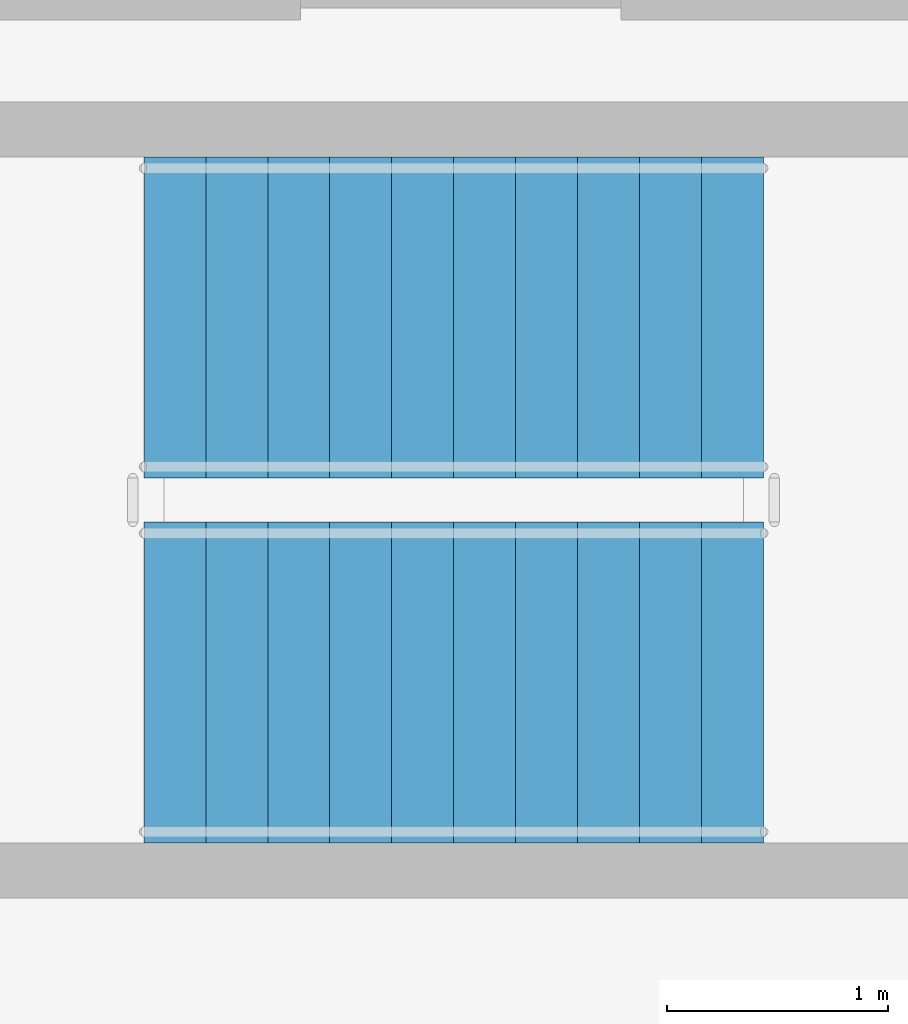
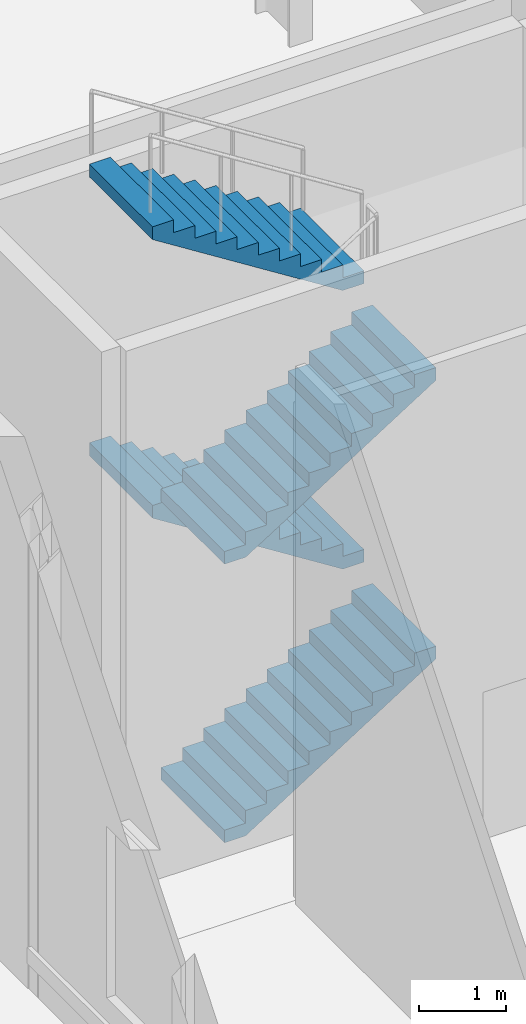
# One storey, part 152 of 176: 4 stair flights, 1 element without a shape of its own.
"""IFC4 building model written with IfcOpenShell, lengths in metres."""

from ifc_helpers import new_model, si_unit, direction, frame, origin, place, context, subcontext, project, spatial, polyline, outline, extrude, material, type_object, element, aggregate, save


model = new_model("IFC4")

# Units and contexts
model_context = context("Model", 3, precision=1e-05, world=origin(), true_north=direction((0.0, 1.0)))
body_context = subcontext(model_context, "Body", "Model", "MODEL_VIEW")
ifc_project = project(units=[si_unit("LENGTHUNIT", "METRE"), si_unit("AREAUNIT", "SQUARE_METRE"), si_unit("VOLUMEUNIT", "CUBIC_METRE"), si_unit("PLANEANGLEUNIT", "RADIAN"), si_unit("MASSUNIT", "GRAM", prefix="KILO")], contexts=[model_context])

# Site, building, storey
site_placement = place(None, origin())
site = spatial("IfcSite", under=ifc_project, at=site_placement, CompositionType="ELEMENT")
building_placement = place(site_placement, origin())
building = spatial("IfcBuilding", under=site, at=building_placement, Name="Vekula Escarpment Museum", CompositionType="ELEMENT")
storey_placement = place(building_placement, origin())
storey = spatial("IfcBuildingStorey", under=building, at=storey_placement, Name="L01", CompositionType="ELEMENT", Elevation=0.0)

# Stair, stair flights
ifc_material_1 = material(Name="Concrete C35/45", Category="concrete")
stair_type = type_object("IfcStairType", Name="STR-TYPE-145", PredefinedType="HALF_TURN_STAIR", material=ifc_material_1)
stair_placement = place(storey_placement, origin())
stair = element("IfcStair", 1, at=stair_placement, inside=storey, type_object=stair_type, Name="L01 Northeast Cumba Exit Stair ST-05", PredefinedType="HALF_TURN_STAIR")
ifc_material_2 = material(Name="Concrete C35/45", Category="concrete")
stair_flight_type = type_object("IfcStairFlightType", Name="FLT-TYPE-145", PredefinedType="STRAIGHT", material=ifc_material_2)
stair_flight_1_placement = place(storey_placement, frame((170.25, 115.324951171875, 0.0), z_axis=(0.0, 0.0, 1.0), x_axis=(1.0, 0.0, 0.0)))
stair_flight_1 = element("IfcStairFlight", 2, at=stair_flight_1_placement, type_object=stair_flight_type, Name="ST-05 flight 1", NumberOfRisers=11, NumberOfTreads=10, PredefinedType="STRAIGHT", RiserHeight=0.177272727, TreadLength=0.28, context=body_context, shape_type="SweptSolid", body=[
    extrude(outline(polyline([(0.0, 0.0), (0.0, 0.17724609375), (0.280029296875, 0.17724609375), (0.280029296875, 0.3544921875), (0.56005859375, 0.3544921875), (0.56005859375, 0.53173828125), (0.840087890625, 0.53173828125), (0.840087890625, 0.708984375), (1.1201171875, 0.708984375), (1.1201171875, 0.886474609375), (1.39990234375, 0.886474609375), (1.39990234375, 1.063720703125), (1.679931640625, 1.063720703125), (1.679931640625, 1.240966796875), (1.9599609375, 1.240966796875), (1.9599609375, 1.418212890625), (2.239990234375, 1.418212890625), (2.239990234375, 1.595458984375), (2.52001953125, 1.595458984375), (2.52001953125, 1.772705078125), (2.800048828125, 1.772705078125), (2.800048828125, 1.949951171875), (2.800048828125, 1.59521484375), (0.2802734375, 0.0), (0.0, 0.0)])), frame((0.0, 0.72509765625, 0.0), z_axis=(0.0, -1.0, 0.0), x_axis=(1.0, 0.0, 0.0)), (0.0, 0.0, 1.0), 1.449951171875),
])
stair_flight_2_placement = place(storey_placement, frame((173.050048828125, 116.97509765625, 1.949951171875), z_axis=(0.0, 0.0, 1.0), x_axis=(-1.0, 0.0, 0.0)))
stair_flight_2 = element("IfcStairFlight", 3, at=stair_flight_2_placement, type_object=stair_flight_type, Name="ST-05 flight 2", NumberOfRisers=11, NumberOfTreads=10, PredefinedType="STRAIGHT", RiserHeight=0.177272727, TreadLength=0.28, context=body_context, shape_type="SweptSolid", body=[
    extrude(outline(polyline([(0.0, 0.0), (0.0, 0.17724609375), (0.280029296875, 0.17724609375), (0.280029296875, 0.3544921875), (0.56005859375, 0.3544921875), (0.56005859375, 0.53173828125), (0.840087890625, 0.53173828125), (0.840087890625, 0.708984375), (1.1201171875, 0.708984375), (1.1201171875, 0.886474609375), (1.39990234375, 0.886474609375), (1.39990234375, 1.063720703125), (1.679931640625, 1.063720703125), (1.679931640625, 1.240966796875), (1.9599609375, 1.240966796875), (1.9599609375, 1.418212890625), (2.239990234375, 1.418212890625), (2.239990234375, 1.595458984375), (2.52001953125, 1.595458984375), (2.52001953125, 1.772705078125), (2.800048828125, 1.772705078125), (2.800048828125, 1.949951171875), (2.800048828125, 1.59521484375), (0.2802734375, 0.0), (0.0, 0.0)])), frame((0.0, 0.72509765625, 0.0), z_axis=(0.0, -1.0, 0.0), x_axis=(1.0, 0.0, 0.0)), (0.0, 0.0, 1.0), 1.449951171875),
])
stair_flight_3_placement = place(storey_placement, frame((170.25, 115.324951171875, 3.89990234375), z_axis=(0.0, 0.0, 1.0), x_axis=(1.0, 0.0, 0.0)))
stair_flight_3 = element("IfcStairFlight", 4, at=stair_flight_3_placement, type_object=stair_flight_type, Name="ST-05 flight 3", NumberOfRisers=11, NumberOfTreads=10, PredefinedType="STRAIGHT", RiserHeight=0.177272727, TreadLength=0.28, context=body_context, shape_type="SweptSolid", body=[
    extrude(outline(polyline([(0.0, 0.0), (0.0, 0.17724609375), (0.280029296875, 0.17724609375), (0.280029296875, 0.3544921875), (0.56005859375, 0.3544921875), (0.56005859375, 0.53173828125), (0.840087890625, 0.53173828125), (0.840087890625, 0.708984375), (1.1201171875, 0.708984375), (1.1201171875, 0.886474609375), (1.39990234375, 0.886474609375), (1.39990234375, 1.063720703125), (1.679931640625, 1.063720703125), (1.679931640625, 1.240966796875), (1.9599609375, 1.240966796875), (1.9599609375, 1.418212890625), (2.239990234375, 1.418212890625), (2.239990234375, 1.595458984375), (2.52001953125, 1.595458984375), (2.52001953125, 1.772705078125), (2.800048828125, 1.772705078125), (2.800048828125, 1.949951171875), (2.800048828125, 1.59521484375), (0.2802734375, 0.0), (0.0, 0.0)])), frame((0.0, 0.72509765625, 0.0), z_axis=(0.0, -1.0, 0.0), x_axis=(1.0, 0.0, 0.0)), (0.0, 0.0, 1.0), 1.449951171875),
])
stair_flight_4_placement = place(storey_placement, frame((173.050048828125, 116.97509765625, 5.85009765625), z_axis=(0.0, 0.0, 1.0), x_axis=(-1.0, 0.0, 0.0)))
stair_flight_4 = element("IfcStairFlight", 5, at=stair_flight_4_placement, type_object=stair_flight_type, Name="ST-05 flight 4", NumberOfRisers=11, NumberOfTreads=10, PredefinedType="STRAIGHT", RiserHeight=0.177272727, TreadLength=0.28, context=body_context, shape_type="SweptSolid", body=[
    extrude(outline(polyline([(0.0, 0.0), (0.0, 0.17724609375), (0.280029296875, 0.17724609375), (0.280029296875, 0.3544921875), (0.56005859375, 0.3544921875), (0.56005859375, 0.53173828125), (0.840087890625, 0.53173828125), (0.840087890625, 0.708984375), (1.1201171875, 0.708984375), (1.1201171875, 0.886474609375), (1.39990234375, 0.886474609375), (1.39990234375, 1.063720703125), (1.679931640625, 1.063720703125), (1.679931640625, 1.240966796875), (1.9599609375, 1.240966796875), (1.9599609375, 1.418212890625), (2.239990234375, 1.418212890625), (2.239990234375, 1.595458984375), (2.52001953125, 1.595458984375), (2.52001953125, 1.772705078125), (2.800048828125, 1.772705078125), (2.800048828125, 1.949951171875), (2.800048828125, 1.59521484375), (0.2802734375, 0.0), (0.0, 0.0)])), frame((0.0, 0.72509765625, 0.0), z_axis=(0.0, -1.0, 0.0), x_axis=(1.0, 0.0, 0.0)), (0.0, 0.0, 1.0), 1.449951171875),
])
aggregate(stair, [stair_flight_1, stair_flight_2, stair_flight_3, stair_flight_4])

save(model, "model.ifc")
